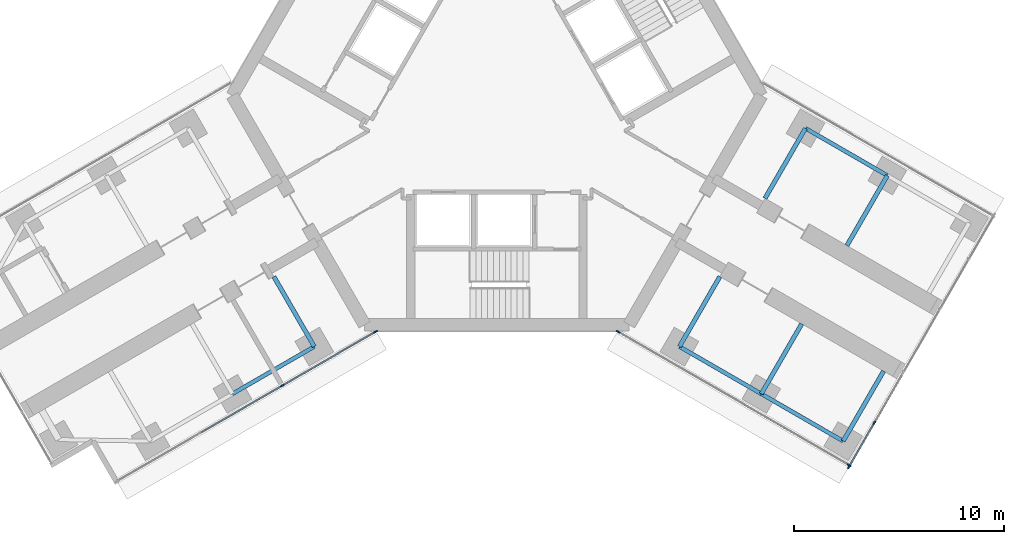
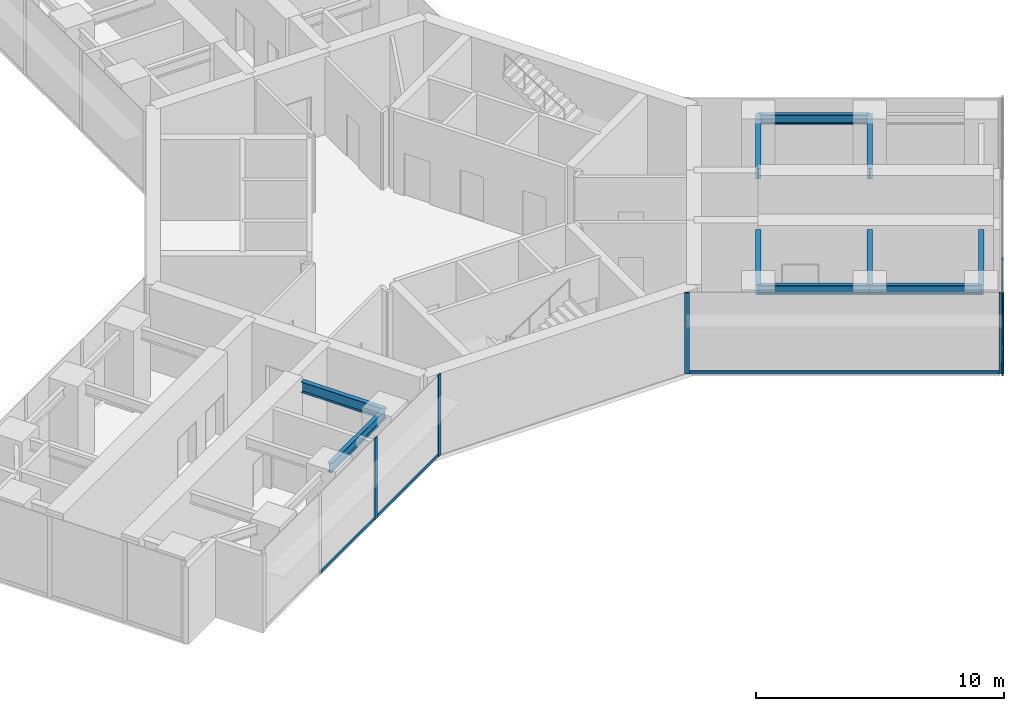
# One storey, part 8 of 21: 11 members, 10 beams, 3 elements without a shape of their own.
"""IFC4 building model written with IfcOpenShell, lengths in metres."""

from ifc_helpers import new_model, si_unit, direction, frame, origin, origin_2d, place, context, subcontext, project, spatial, rectangle, i_section, extrude, material, material_profile, profile_set, type_object, element, aggregate, save


model = new_model("IFC4")

# Units and contexts
model_context = context("Model", 3, precision=1e-05, world=origin(), true_north=direction((0.0, 1.0)))
body_context = subcontext(model_context, "Body", "Model", "MODEL_VIEW")
ifc_project = project(units=[si_unit("LENGTHUNIT", "METRE"), si_unit("AREAUNIT", "SQUARE_METRE"), si_unit("VOLUMEUNIT", "CUBIC_METRE"), si_unit("PLANEANGLEUNIT", "RADIAN"), si_unit("MASSUNIT", "GRAM", prefix="KILO")], contexts=[model_context])

# Site, building, storey
site_placement = place(None, origin())
site = spatial("IfcSite", under=ifc_project, at=site_placement, CompositionType="ELEMENT")
building_placement = place(site_placement, origin())
building = spatial("IfcBuilding", under=site, at=building_placement, Name="Upepo Twin Towers", CompositionType="ELEMENT")
storey_placement = place(building_placement, frame((0.0, 0.0, 105.5)))
storey = spatial("IfcBuildingStorey", under=building, at=storey_placement, Name="L25", CompositionType="ELEMENT", Elevation=105.5)

# Beams
ifc_material_1 = material(Name="Steel S355", Category="steel")
ifc_material_profile_1 = material_profile(ifc_material_1, i_section(OverallWidth=0.1904296875, OverallDepth=0.45703125, WebThickness=0.009033203125, FlangeThickness=0.014404296875, FilletRadius=0.01025390625, at=origin_2d()), Name="UB 457x191x74")
ifc_profile_set_1 = profile_set([ifc_material_profile_1], Name="Steel S355")
beam_type_1 = type_object("IfcBeamType", Name="Beam UB 457x191x74", PredefinedType="BEAM", material=ifc_profile_set_1)
for number, where, z_axis, x_axis, name in (
    (1, (49.80859375, -29.946044921875, 3.571533203125), (-0.866017533419, -0.500013631625, 0.0), (0.500013631625, -0.866017533419, 0.0), "T2 edge beam BL 13.5-18.0"),
    (2, (73.19140625, -19.553955078125, 3.571533203125), (0.866017533419, -0.500013631625, 0.0), (0.500013631625, 0.866017533419, 0.0), "T2 edge beam CL 13.5-18.0"),
    (3, (67.19140625, -29.946044921875, 3.571533203125), (0.866017533419, -0.500013631625, 0.0), (0.500013631625, 0.866017533419, 0.0), "T2 edge beam CR 13.5-18.0"),
):
    element("IfcBeam", number, at=place(storey_placement, frame(where, z_axis=z_axis, x_axis=x_axis)), inside=storey, type_object=beam_type_1, Name=name, PredefinedType="BEAM", context=body_context, shape_type="SweptSolid", body=[
        extrude(i_section(OverallWidth=0.1904296875, OverallDepth=0.45703125, WebThickness=0.009033203125, FlangeThickness=0.014404296875, FilletRadius=0.01025390625, at=origin_2d()), origin(), (0.0, 0.0, 1.0), 4.499755859375),
    ])
beam_1_placement = place(storey_placement, frame((71.08837890625, -32.196044921875, 3.571533203125), z_axis=(0.866031096941, -0.499990139034, 0.0), x_axis=(0.499990139034, 0.866031096941, 0.0)))
element("IfcBeam", 4, at=beam_1_placement, inside=storey, type_object=beam_type_1, Name="T2 edge beam CR 18.0-22.5", PredefinedType="BEAM", context=body_context, shape_type="SweptSolid", body=[
    extrude(i_section(OverallWidth=0.1904296875, OverallDepth=0.45703125, WebThickness=0.009033203125, FlangeThickness=0.014404296875, FilletRadius=0.01025390625, at=origin_2d()), origin(), (0.0, 0.0, 1.0), 4.5),
])
ifc_material_2 = material(Name="Steel S355", Category="steel")
ifc_material_profile_2 = material_profile(ifc_material_2, i_section(OverallWidth=0.209228515625, OverallDepth=0.533203125, WebThickness=0.010009765625, FlangeThickness=0.015625, FilletRadius=0.0126953125, at=origin_2d()), Name="UB 533x210x92")
ifc_profile_set_2 = profile_set([ifc_material_profile_2], Name="Steel S355")
beam_type_2 = type_object("IfcBeamType", Name="Beam UB 533x210x92", PredefinedType="BEAM", material=ifc_profile_set_2)
for number, where, z_axis, x_axis, name in (
    (5, (49.80859375, -29.946044921875, 3.533447265625), (-0.500033517596, 0.866006051527, 0.0), (-0.866006051527, -0.500033517596, 0.0), "T2 girder BL at 13.5"),
    (6, (73.19140625, -19.553955078125, 3.533447265625), (-0.500033517596, -0.866006051527, 0.0), (0.866006051527, -0.500033517596, 0.0), "T2 girder CL at 13.5"),
):
    element("IfcBeam", number, at=place(storey_placement, frame(where, z_axis=z_axis, x_axis=x_axis)), inside=storey, type_object=beam_type_2, Name=name, PredefinedType="BEAM", context=body_context, shape_type="SweptSolid", body=[
        extrude(i_section(OverallWidth=0.209228515625, OverallDepth=0.533203125, WebThickness=0.010009765625, FlangeThickness=0.015625, FilletRadius=0.0126953125, at=origin_2d()), origin(), (0.0, 0.0, 1.0), 3.849853515625),
    ])
beam_2_placement = place(storey_placement, frame((77.08837890625, -21.803955078125, 3.533447265625), z_axis=(-0.499985955615, -0.866033512162, 0.0), x_axis=(0.866033512162, -0.499985955615, 0.0)))
element("IfcBeam", 7, at=beam_2_placement, inside=storey, type_object=beam_type_2, Name="T2 girder CL at 18.0", PredefinedType="BEAM", context=body_context, shape_type="SweptSolid", body=[
    extrude(i_section(OverallWidth=0.209228515625, OverallDepth=0.533203125, WebThickness=0.010009765625, FlangeThickness=0.015625, FilletRadius=0.0126953125, at=origin_2d()), origin(), (0.0, 0.0, 1.0), 3.849609375),
])
for number, where, z_axis, x_axis, name in (
    (8, (67.19140625, -29.946044921875, 3.533447265625), (0.500033517596, 0.866006051527, 0.0), (-0.866006051527, 0.500033517596, 0.0), "T2 girder CR at 13.5"),
    (9, (71.08837890625, -32.196044921875, 3.533447265625), (0.500033517596, 0.866006051527, 0.0), (-0.866006051527, 0.500033517596, 0.0), "T2 girder CR at 18.0"),
    (10, (74.985595703125, -34.446044921875, 3.533447265625), (0.500033517596, 0.866006051527, 0.0), (-0.866006051527, 0.500033517596, 0.0), "T2 girder CR at 22.5"),
):
    element("IfcBeam", number, at=place(storey_placement, frame(where, z_axis=z_axis, x_axis=x_axis)), inside=storey, type_object=beam_type_2, Name=name, PredefinedType="BEAM", context=body_context, shape_type="SweptSolid", body=[
        extrude(i_section(OverallWidth=0.209228515625, OverallDepth=0.533203125, WebThickness=0.010009765625, FlangeThickness=0.015625, FilletRadius=0.0126953125, at=origin_2d()), origin(), (0.0, 0.0, 1.0), 3.849853515625),
    ])

# Curtain wall, members
ifc_material_3 = material(Name="Aluminium and fritted glass", Category="aluminium")
curtain_wall_type = type_object("IfcCurtainWallType", Name="Tower curtain wall TW2, fritted glass", PredefinedType="NOTDEFINED", material=ifc_material_3)
curtain_wall_1_placement = place(storey_placement, origin())
curtain_wall_1 = element("IfcCurtainWall", 11, at=curtain_wall_1_placement, inside=storey, type_object=curtain_wall_type, Name="T2 L25 wing B flank L curtain wall", PredefinedType="NOTDEFINED")
ifc_material_4 = material(Name="Aluminium mullion", Category="aluminium")
ifc_material_profile_3 = material_profile(ifc_material_4, rectangle(XDim=0.06494140625, YDim=0.199951171875, at=origin_2d()), Name="MULLION 65x200")
ifc_profile_set_3 = profile_set([ifc_material_profile_3], Name="Aluminium mullion")
member_type_1 = type_object("IfcMemberType", Name="Mullion 65x200 TW2", PredefinedType="MULLION", material=ifc_profile_set_3)
member_1_placement = place(storey_placement, frame((52.72802734375, -29.2421875, 0.0), z_axis=(0.0, 0.0, 1.0), x_axis=(0.500000010308, -0.866025397833, 0.0)))
member_1 = element("IfcMember", 12, at=member_1_placement, type_object=member_type_1, Name="T2 L25 wing B flank L curtain wall mullion 1", PredefinedType="MULLION", context=body_context, shape_type="SweptSolid", body=[
    extrude(rectangle(XDim=0.06494140625, YDim=0.199951171875, at=origin_2d()), origin(), (0.0, 0.0, 1.0), 4.0),
])
member_2_placement = place(storey_placement, frame((48.28515625, -31.807373046875, 0.0), z_axis=(0.0, 0.0, 1.0), x_axis=(0.500000010308, -0.866025397833, 0.0)))
member_2 = element("IfcMember", 13, at=member_2_placement, type_object=member_type_1, Name="T2 L25 wing B flank L curtain wall mullion 2", PredefinedType="MULLION", context=body_context, shape_type="SweptSolid", body=[
    extrude(rectangle(XDim=0.06494140625, YDim=0.199951171875, at=origin_2d()), origin(), (0.0, 0.0, 1.0), 4.0),
])

curtain_wall_2_placement = place(storey_placement, origin())
curtain_wall_2 = element("IfcCurtainWall", 14, at=curtain_wall_2_placement, inside=storey, type_object=curtain_wall_type, Name="T2 L25 wing C flank R curtain wall", PredefinedType="NOTDEFINED")
member_3_placement = place(storey_placement, frame((75.2685546875, -35.591064453125, 0.0), z_axis=(0.0, 0.0, 1.0), x_axis=(-0.50000000792, -0.866025399212, 0.0)))
member_3 = element("IfcMember", 15, at=member_3_placement, type_object=member_type_1, Name="T2 L25 wing C flank R curtain wall mullion 1", PredefinedType="MULLION", context=body_context, shape_type="SweptSolid", body=[
    extrude(rectangle(XDim=0.06494140625, YDim=0.199951171875, at=origin_2d()), origin(), (0.0, 0.0, 1.0), 4.0),
])
member_4_placement = place(storey_placement, frame((64.27197265625, -29.2421875, 0.0), z_axis=(0.0, 0.0, 1.0), x_axis=(-0.50000000792, -0.866025399212, 0.0)))
member_4 = element("IfcMember", 16, at=member_4_placement, type_object=member_type_1, Name="T2 L25 wing C flank R curtain wall mullion 2", PredefinedType="MULLION", context=body_context, shape_type="SweptSolid", body=[
    extrude(rectangle(XDim=0.06494140625, YDim=0.199951171875, at=origin_2d()), origin(), (0.0, 0.0, 1.0), 4.0),
])

curtain_wall_3_placement = place(storey_placement, origin())
curtain_wall_3 = element("IfcCurtainWall", 17, at=curtain_wall_3_placement, inside=storey, type_object=curtain_wall_type, Name="T2 L25 wing C nose curtain wall", PredefinedType="NOTDEFINED")
member_5_placement = place(storey_placement, frame((75.262939453125, -35.665771484375, 0.0), z_axis=(0.0, 0.0, 1.0), x_axis=(-0.866025419745, 0.499999972355, 0.0)))
member_5 = element("IfcMember", 18, at=member_5_placement, type_object=member_type_1, Name="T2 L25 wing C nose curtain wall mullion 1", PredefinedType="MULLION", context=body_context, shape_type="SweptSolid", body=[
    extrude(rectangle(XDim=0.06494140625, YDim=0.199951171875, at=origin_2d()), origin(), (0.0, 0.0, 1.0), 4.0),
])
member_6_placement = place(storey_placement, frame((76.4716796875, -33.572021484375, 0.0), z_axis=(0.0, 0.0, 1.0), x_axis=(-0.866025419745, 0.499999972355, 0.0)))
member_6 = element("IfcMember", 19, at=member_6_placement, type_object=member_type_1, Name="T2 L25 wing C nose curtain wall mullion 2", PredefinedType="MULLION", context=body_context, shape_type="SweptSolid", body=[
    extrude(rectangle(XDim=0.06494140625, YDim=0.199951171875, at=origin_2d()), origin(), (0.0, 0.0, 1.0), 4.0),
])

# Member
ifc_material_5 = material(Name="Aluminium transom", Category="aluminium")
ifc_material_profile_4 = material_profile(ifc_material_5, rectangle(XDim=0.06494140625, YDim=0.14990234375, at=origin_2d()), Name="TRANSOM 65x150")
ifc_profile_set_4 = profile_set([ifc_material_profile_4], Name="Aluminium transom")
member_type_2 = type_object("IfcMemberType", Name="Transom 65x150 TW2", PredefinedType="USERDEFINED", material=ifc_profile_set_4)
member_7_placement = place(storey_placement, frame((52.699951171875, -29.25830078125, 0.074951171875), z_axis=(-0.866021848223, -0.500006158363, 0.0), x_axis=(0.500006158363, -0.866021848223, 0.0)))
member_7 = element("IfcMember", 20, at=member_7_placement, type_object=member_type_2, Name="T2 L25 wing B flank L curtain wall transom 1", ObjectType="TRANSOM", PredefinedType="USERDEFINED", context=body_context, shape_type="SweptSolid", body=[
    extrude(rectangle(XDim=0.06494140625, YDim=0.14990234375, at=origin_2d()), origin(), (0.0, 0.0, 1.0), 5.0654296875),
])

member_8_placement = place(storey_placement, frame((48.2568359375, -31.823486328125, 0.074951171875), z_axis=(-0.866022410713, -0.500005184116, 0.0), x_axis=(0.500005184116, -0.866022410713, 0.0)))
member_8 = element("IfcMember", 21, at=member_8_placement, type_object=member_type_2, Name="T2 L25 wing B flank L curtain wall transom 2", ObjectType="TRANSOM", PredefinedType="USERDEFINED", context=body_context, shape_type="SweptSolid", body=[
    extrude(rectangle(XDim=0.06494140625, YDim=0.14990234375, at=origin_2d()), origin(), (0.0, 0.0, 1.0), 4.43505859375),
])

aggregate(curtain_wall_1, [member_1, member_2, member_7, member_8])

member_9_placement = place(storey_placement, frame((75.240478515625, -35.57470703125, 0.074951171875), z_axis=(-0.866027247007, 0.499996807431, 0.0), x_axis=(-0.499996807431, -0.866027247007, 0.0)))
member_9 = element("IfcMember", 22, at=member_9_placement, type_object=member_type_2, Name="T2 L25 wing C flank R curtain wall transom 1", ObjectType="TRANSOM", PredefinedType="USERDEFINED", context=body_context, shape_type="SweptSolid", body=[
    extrude(rectangle(XDim=0.06494140625, YDim=0.14990234375, at=origin_2d()), origin(), (0.0, 0.0, 1.0), 12.6328125),
])

aggregate(curtain_wall_2, [member_3, member_4, member_9])

member_10_placement = place(storey_placement, frame((75.279296875, -35.6376953125, 0.074951171875), z_axis=(0.499923095048, 0.866069800327, 0.0), x_axis=(-0.866069800327, 0.499923095048, 0.0)))
member_10 = element("IfcMember", 23, at=member_10_placement, type_object=member_type_2, Name="T2 L25 wing C nose curtain wall transom 1", ObjectType="TRANSOM", PredefinedType="USERDEFINED", context=body_context, shape_type="SweptSolid", body=[
    extrude(rectangle(XDim=0.06494140625, YDim=0.14990234375, at=origin_2d()), origin(), (0.0, 0.0, 1.0), 2.352294921875),
])

member_11_placement = place(storey_placement, frame((76.488037109375, -33.5439453125, 0.074951171875), z_axis=(0.49995335277, 0.8660523339, 0.0), x_axis=(-0.8660523339, 0.49995335277, 0.0)))
member_11 = element("IfcMember", 24, at=member_11_placement, type_object=member_type_2, Name="T2 L25 wing C nose curtain wall transom 2", ObjectType="TRANSOM", PredefinedType="USERDEFINED", context=body_context, shape_type="SweptSolid", body=[
    extrude(rectangle(XDim=0.06494140625, YDim=0.14990234375, at=origin_2d()), origin(), (0.0, 0.0, 1.0), 2.684814453125),
])

aggregate(curtain_wall_3, [member_5, member_6, member_10, member_11])

save(model, "model.ifc")
